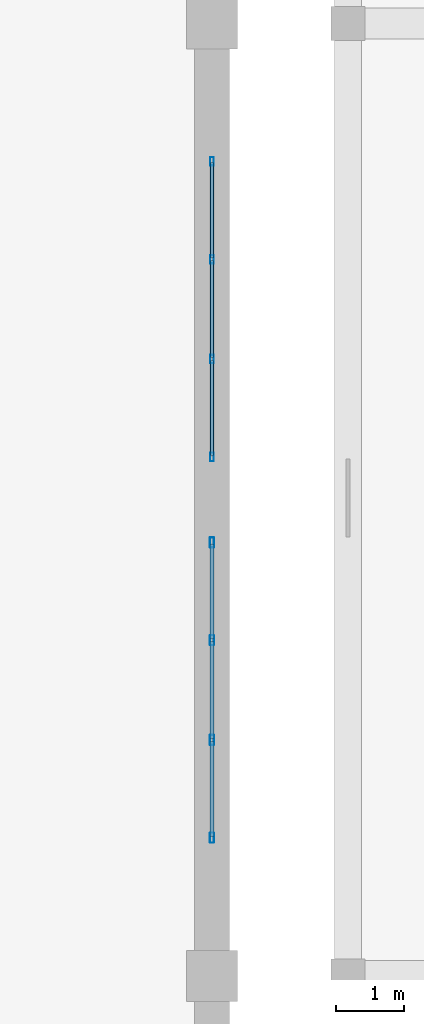
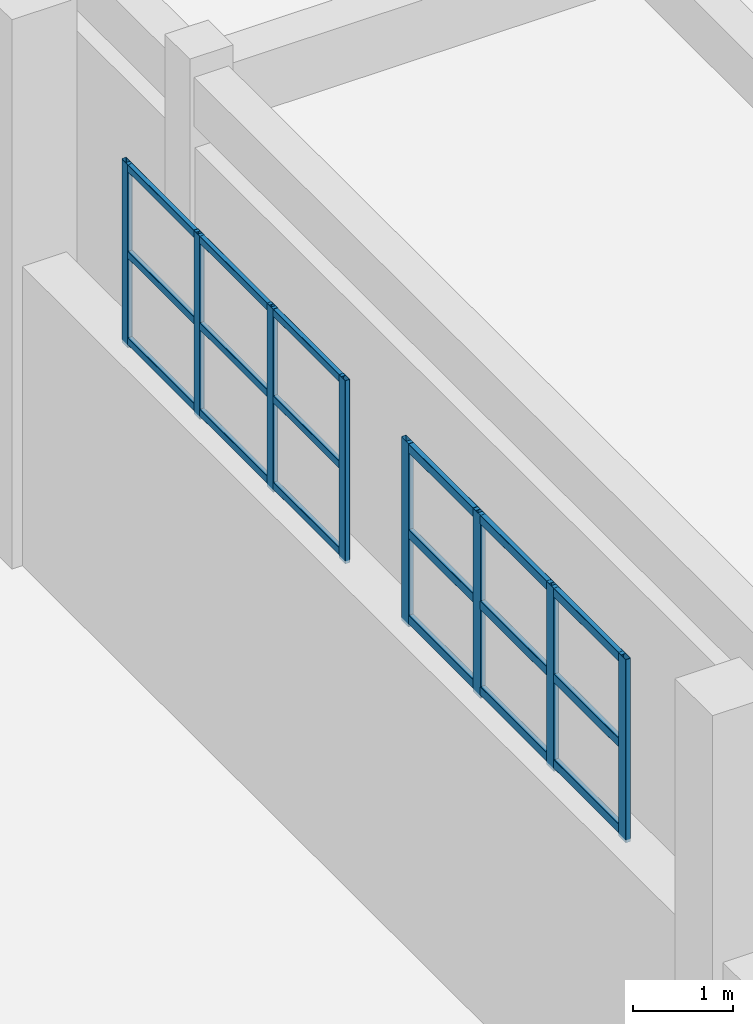
# One storey, part 127 of 197: 26 members, 2 elements without a shape of their own.
"""IFC4 building model written with IfcOpenShell, lengths in metres."""

from ifc_helpers import new_model, si_unit, derived_unit, direction, frame, origin, origin_2d, place, context, subcontext, project, spatial, hollow_rectangle, extrude, material, layer, layer_set, material_profile, profile_set, type_object, element, aggregate, save


model = new_model("IFC4")

# Units and contexts
model_context = context("Model", 3, precision=1e-05, world=origin(), true_north=direction((0.0, 1.0)))
body_context = subcontext(model_context, "Body", "Model", "MODEL_VIEW")
ifc_project = project(units=[si_unit("LENGTHUNIT", "METRE"), si_unit("AREAUNIT", "SQUARE_METRE"), si_unit("VOLUMEUNIT", "CUBIC_METRE"), si_unit("PLANEANGLEUNIT", "RADIAN"), si_unit("MASSUNIT", "GRAM", prefix="KILO"), derived_unit("THERMALTRANSMITTANCEUNIT", [(si_unit("POWERUNIT", "WATT"), 1), (si_unit("LENGTHUNIT", "METRE"), -2), (si_unit("THERMODYNAMICTEMPERATUREUNIT", "KELVIN"), -1)])], contexts=[model_context])

# Site, building, storey
site_placement = place(None, origin())
site = spatial("IfcSite", under=ifc_project, at=site_placement, CompositionType="ELEMENT")
building_placement = place(site_placement, origin())
building = spatial("IfcBuilding", under=site, at=building_placement, Name="Almenara Railside Exhibition Hall", CompositionType="ELEMENT")
storey_placement = place(building_placement, frame((0.0, 0.0, 5.39990234375)))
storey = spatial("IfcBuildingStorey", under=building, at=storey_placement, Name="L01", CompositionType="ELEMENT", Elevation=5.39990234375)

# Curtain wall, members
ifc_material_1 = material(Name="Bronze-anodised aluminium and low-E double glazing", Category="aluminium")
ifc_layer = layer(ifc_material_1, 0.179931640625, Name="Bronze-anodised aluminium and low-E double glazing")
ifc_layer_set = layer_set([ifc_layer], Name="Bronze-anodised aluminium and low-E double glazing")
curtain_wall_type = type_object("IfcCurtainWallType", Name="East Hall Clerestory Curtain Wall 4400x2300", PredefinedType="NOTDEFINED", material=ifc_layer_set)
curtain_wall_1_placement = place(storey_placement, origin())
curtain_wall_1 = element("IfcCurtainWall", 1, at=curtain_wall_1_placement, inside=storey, type_object=curtain_wall_type, Name="Curtain wall CW-CL3-062", PredefinedType="NOTDEFINED")
ifc_material_2 = material(Name="Bronze-anodised aluminium", Category="aluminium")
ifc_material_profile_1 = material_profile(ifc_material_2, hollow_rectangle(XDim=0.054931640625, YDim=0.125, WallThickness=0.0029296875, InnerFilletRadius=0.0029296875, OuterFilletRadius=0.006103515625, at=origin_2d()), Name="ALU-MUL 55x125x3")
ifc_profile_set_1 = profile_set([ifc_material_profile_1], Name="Bronze-anodised aluminium")
member_type_1 = type_object("IfcMemberType", Name="Curtain Wall Mullion 55x125x3", PredefinedType="MULLION", material=ifc_profile_set_1)
member_1_placement = place(storey_placement, frame((192.0, 69.62744140625, 3.614990234375), z_axis=(0.0, 0.0, 1.0), x_axis=(-1.0, 0.0, 0.0)))
member_1 = element("IfcMember", 2, at=member_1_placement, type_object=member_type_1, Name="CW-CL3-062 mullion 1", PredefinedType="MULLION", context=body_context, shape_type="SweptSolid", body=[
    extrude(hollow_rectangle(XDim=0.054931640625, YDim=0.125, WallThickness=0.0029296875, InnerFilletRadius=0.0029296875, OuterFilletRadius=0.006103515625, at=origin_2d()), origin(), (0.0, 0.0, 1.0), 2.235107421875),
])
member_2_placement = place(storey_placement, frame((192.0, 71.066650390625, 3.614990234375), z_axis=(0.0, 0.0, 1.0), x_axis=(-1.0, 0.0, 0.0)))
member_2 = element("IfcMember", 3, at=member_2_placement, type_object=member_type_1, Name="CW-CL3-062 mullion 2", PredefinedType="MULLION", context=body_context, shape_type="SweptSolid", body=[
    extrude(hollow_rectangle(XDim=0.054931640625, YDim=0.125, WallThickness=0.0029296875, InnerFilletRadius=0.0029296875, OuterFilletRadius=0.006103515625, at=origin_2d()), origin(), (0.0, 0.0, 1.0), 2.235107421875),
])
member_3_placement = place(storey_placement, frame((192.0, 72.533447265625, 3.614990234375), z_axis=(0.0, 0.0, 1.0), x_axis=(-1.0, 0.0, 0.0)))
member_3 = element("IfcMember", 4, at=member_3_placement, type_object=member_type_1, Name="CW-CL3-062 mullion 3", PredefinedType="MULLION", context=body_context, shape_type="SweptSolid", body=[
    extrude(hollow_rectangle(XDim=0.054931640625, YDim=0.125, WallThickness=0.0029296875, InnerFilletRadius=0.0029296875, OuterFilletRadius=0.006103515625, at=origin_2d()), origin(), (0.0, 0.0, 1.0), 2.235107421875),
])
member_4_placement = place(storey_placement, frame((192.0, 73.972412109375, 3.614990234375), z_axis=(0.0, 0.0, 1.0), x_axis=(-1.0, 0.0, 0.0)))
member_4 = element("IfcMember", 5, at=member_4_placement, type_object=member_type_1, Name="CW-CL3-062 mullion 4", PredefinedType="MULLION", context=body_context, shape_type="SweptSolid", body=[
    extrude(hollow_rectangle(XDim=0.054931640625, YDim=0.125, WallThickness=0.0029296875, InnerFilletRadius=0.0029296875, OuterFilletRadius=0.006103515625, at=origin_2d()), origin(), (0.0, 0.0, 1.0), 2.235107421875),
])

curtain_wall_2_placement = place(storey_placement, origin())
curtain_wall_2 = element("IfcCurtainWall", 6, at=curtain_wall_2_placement, inside=storey, type_object=curtain_wall_type, Name="Curtain wall CW-CL3-061", PredefinedType="NOTDEFINED")
ifc_material_profile_2 = material_profile(ifc_material_2, hollow_rectangle(XDim=0.06005859375, YDim=0.14990234375, WallThickness=0.00341796875, InnerFilletRadius=0.00341796875, OuterFilletRadius=0.007080078125, at=origin_2d()), Name="ALU-MUL 60x150x3.5")
ifc_profile_set_2 = profile_set([ifc_material_profile_2], Name="Bronze-anodised aluminium")
member_type_2 = type_object("IfcMemberType", Name="Curtain Wall Mullion 60x150x3.5", PredefinedType="MULLION", material=ifc_profile_set_2)
member_5_placement = place(storey_placement, frame((192.0, 64.030029296875, 3.614990234375), z_axis=(0.0, 0.0, 1.0), x_axis=(-1.0, 0.0, 0.0)))
member_5 = element("IfcMember", 7, at=member_5_placement, type_object=member_type_2, Name="CW-CL3-061 mullion 1", PredefinedType="MULLION", context=body_context, shape_type="SweptSolid", body=[
    extrude(hollow_rectangle(XDim=0.06005859375, YDim=0.14990234375, WallThickness=0.00341796875, InnerFilletRadius=0.00341796875, OuterFilletRadius=0.007080078125, at=origin_2d()), origin(), (0.0, 0.0, 1.0), 2.235107421875),
])
member_6_placement = place(storey_placement, frame((192.0, 65.466552734375, 3.614990234375), z_axis=(0.0, 0.0, 1.0), x_axis=(-1.0, 0.0, 0.0)))
member_6 = element("IfcMember", 8, at=member_6_placement, type_object=member_type_2, Name="CW-CL3-061 mullion 2", PredefinedType="MULLION", context=body_context, shape_type="SweptSolid", body=[
    extrude(hollow_rectangle(XDim=0.06005859375, YDim=0.14990234375, WallThickness=0.00341796875, InnerFilletRadius=0.00341796875, OuterFilletRadius=0.007080078125, at=origin_2d()), origin(), (0.0, 0.0, 1.0), 2.235107421875),
])
member_7_placement = place(storey_placement, frame((192.0, 66.933349609375, 3.614990234375), z_axis=(0.0, 0.0, 1.0), x_axis=(-1.0, 0.0, 0.0)))
member_7 = element("IfcMember", 9, at=member_7_placement, type_object=member_type_2, Name="CW-CL3-061 mullion 3", PredefinedType="MULLION", context=body_context, shape_type="SweptSolid", body=[
    extrude(hollow_rectangle(XDim=0.06005859375, YDim=0.14990234375, WallThickness=0.00341796875, InnerFilletRadius=0.00341796875, OuterFilletRadius=0.007080078125, at=origin_2d()), origin(), (0.0, 0.0, 1.0), 2.235107421875),
])
member_8_placement = place(storey_placement, frame((192.0, 68.3701171875, 3.614990234375), z_axis=(0.0, 0.0, 1.0), x_axis=(-1.0, 0.0, 0.0)))
member_8 = element("IfcMember", 10, at=member_8_placement, type_object=member_type_2, Name="CW-CL3-061 mullion 4", PredefinedType="MULLION", context=body_context, shape_type="SweptSolid", body=[
    extrude(hollow_rectangle(XDim=0.06005859375, YDim=0.14990234375, WallThickness=0.00341796875, InnerFilletRadius=0.00341796875, OuterFilletRadius=0.007080078125, at=origin_2d()), origin(), (0.0, 0.0, 1.0), 2.235107421875),
])

# Member
ifc_material_profile_3 = material_profile(ifc_material_2, hollow_rectangle(XDim=0.054931640625, YDim=0.090087890625, WallThickness=0.0029296875, InnerFilletRadius=0.0029296875, OuterFilletRadius=0.006103515625, at=origin_2d()), Name="ALU-TRN 55x90x3")
ifc_profile_set_3 = profile_set([ifc_material_profile_3], Name="Bronze-anodised aluminium")
member_type_3 = type_object("IfcMemberType", Name="Curtain Wall Transom 55x90x3", PredefinedType="USERDEFINED", material=ifc_profile_set_3)
member_9_placement = place(storey_placement, frame((192.0, 69.64697265625, 3.695068359375), z_axis=(0.0, 1.0, 0.0), x_axis=(-1.0, 0.0, 0.0)))
member_9 = element("IfcMember", 11, at=member_9_placement, type_object=member_type_3, Name="CW-CL3-062 transom 1.1", ObjectType="TRANSOM", PredefinedType="USERDEFINED", context=body_context, shape_type="SweptSolid", body=[
    extrude(hollow_rectangle(XDim=0.054931640625, YDim=0.090087890625, WallThickness=0.0029296875, InnerFilletRadius=0.0029296875, OuterFilletRadius=0.006103515625, at=origin_2d()), origin(), (0.0, 0.0, 1.0), 1.400146484375),
])

member_10_placement = place(storey_placement, frame((192.0, 69.64697265625, 4.75), z_axis=(0.0, 1.0, 0.0), x_axis=(-1.0, 0.0, 0.0)))
member_10 = element("IfcMember", 12, at=member_10_placement, type_object=member_type_3, Name="CW-CL3-062 transom 1.2", ObjectType="TRANSOM", PredefinedType="USERDEFINED", context=body_context, shape_type="SweptSolid", body=[
    extrude(hollow_rectangle(XDim=0.054931640625, YDim=0.090087890625, WallThickness=0.0029296875, InnerFilletRadius=0.0029296875, OuterFilletRadius=0.006103515625, at=origin_2d()), origin(), (0.0, 0.0, 1.0), 1.400146484375),
])

member_11_placement = place(storey_placement, frame((192.0, 69.64697265625, 5.80517578125), z_axis=(0.0, 1.0, 0.0), x_axis=(-1.0, 0.0, 0.0)))
member_11 = element("IfcMember", 13, at=member_11_placement, type_object=member_type_3, Name="CW-CL3-062 transom 1.3", ObjectType="TRANSOM", PredefinedType="USERDEFINED", context=body_context, shape_type="SweptSolid", body=[
    extrude(hollow_rectangle(XDim=0.054931640625, YDim=0.090087890625, WallThickness=0.0029296875, InnerFilletRadius=0.0029296875, OuterFilletRadius=0.006103515625, at=origin_2d()), origin(), (0.0, 0.0, 1.0), 1.400146484375),
])

member_12_placement = place(storey_placement, frame((192.0, 71.086181640625, 3.695068359375), z_axis=(0.0, 1.0, 0.0), x_axis=(-1.0, 0.0, 0.0)))
member_12 = element("IfcMember", 14, at=member_12_placement, type_object=member_type_3, Name="CW-CL3-062 transom 2.1", ObjectType="TRANSOM", PredefinedType="USERDEFINED", context=body_context, shape_type="SweptSolid", body=[
    extrude(hollow_rectangle(XDim=0.054931640625, YDim=0.090087890625, WallThickness=0.0029296875, InnerFilletRadius=0.0029296875, OuterFilletRadius=0.006103515625, at=origin_2d()), origin(), (0.0, 0.0, 1.0), 1.427734375),
])

member_13_placement = place(storey_placement, frame((192.0, 71.086181640625, 4.75), z_axis=(0.0, 1.0, 0.0), x_axis=(-1.0, 0.0, 0.0)))
member_13 = element("IfcMember", 15, at=member_13_placement, type_object=member_type_3, Name="CW-CL3-062 transom 2.2", ObjectType="TRANSOM", PredefinedType="USERDEFINED", context=body_context, shape_type="SweptSolid", body=[
    extrude(hollow_rectangle(XDim=0.054931640625, YDim=0.090087890625, WallThickness=0.0029296875, InnerFilletRadius=0.0029296875, OuterFilletRadius=0.006103515625, at=origin_2d()), origin(), (0.0, 0.0, 1.0), 1.427734375),
])

member_14_placement = place(storey_placement, frame((192.0, 71.086181640625, 5.80517578125), z_axis=(0.0, 1.0, 0.0), x_axis=(-1.0, 0.0, 0.0)))
member_14 = element("IfcMember", 16, at=member_14_placement, type_object=member_type_3, Name="CW-CL3-062 transom 2.3", ObjectType="TRANSOM", PredefinedType="USERDEFINED", context=body_context, shape_type="SweptSolid", body=[
    extrude(hollow_rectangle(XDim=0.054931640625, YDim=0.090087890625, WallThickness=0.0029296875, InnerFilletRadius=0.0029296875, OuterFilletRadius=0.006103515625, at=origin_2d()), origin(), (0.0, 0.0, 1.0), 1.427734375),
])

member_15_placement = place(storey_placement, frame((192.0, 72.552734375, 3.695068359375), z_axis=(0.0, 1.0, 0.0), x_axis=(-1.0, 0.0, 0.0)))
member_15 = element("IfcMember", 17, at=member_15_placement, type_object=member_type_3, Name="CW-CL3-062 transom 3.1", ObjectType="TRANSOM", PredefinedType="USERDEFINED", context=body_context, shape_type="SweptSolid", body=[
    extrude(hollow_rectangle(XDim=0.054931640625, YDim=0.090087890625, WallThickness=0.0029296875, InnerFilletRadius=0.0029296875, OuterFilletRadius=0.006103515625, at=origin_2d()), origin(), (0.0, 0.0, 1.0), 1.400146484375),
])

member_16_placement = place(storey_placement, frame((192.0, 72.552734375, 4.75), z_axis=(0.0, 1.0, 0.0), x_axis=(-1.0, 0.0, 0.0)))
member_16 = element("IfcMember", 18, at=member_16_placement, type_object=member_type_3, Name="CW-CL3-062 transom 3.2", ObjectType="TRANSOM", PredefinedType="USERDEFINED", context=body_context, shape_type="SweptSolid", body=[
    extrude(hollow_rectangle(XDim=0.054931640625, YDim=0.090087890625, WallThickness=0.0029296875, InnerFilletRadius=0.0029296875, OuterFilletRadius=0.006103515625, at=origin_2d()), origin(), (0.0, 0.0, 1.0), 1.400146484375),
])

member_17_placement = place(storey_placement, frame((192.0, 72.552734375, 5.80517578125), z_axis=(0.0, 1.0, 0.0), x_axis=(-1.0, 0.0, 0.0)))
member_17 = element("IfcMember", 19, at=member_17_placement, type_object=member_type_3, Name="CW-CL3-062 transom 3.3", ObjectType="TRANSOM", PredefinedType="USERDEFINED", context=body_context, shape_type="SweptSolid", body=[
    extrude(hollow_rectangle(XDim=0.054931640625, YDim=0.090087890625, WallThickness=0.0029296875, InnerFilletRadius=0.0029296875, OuterFilletRadius=0.006103515625, at=origin_2d()), origin(), (0.0, 0.0, 1.0), 1.400146484375),
])

aggregate(curtain_wall_1, [member_1, member_2, member_3, member_4, member_9, member_10, member_11, member_12, member_13, member_14, member_15, member_16, member_17])

ifc_material_profile_4 = material_profile(ifc_material_2, hollow_rectangle(XDim=0.06005859375, YDim=0.110107421875, WallThickness=0.0029296875, InnerFilletRadius=0.0029296875, OuterFilletRadius=0.006103515625, at=origin_2d()), Name="ALU-TRN 60x110x3")
ifc_profile_set_4 = profile_set([ifc_material_profile_4], Name="Bronze-anodised aluminium")
member_type_4 = type_object("IfcMemberType", Name="Curtain Wall Transom 60x110x3", PredefinedType="USERDEFINED", material=ifc_profile_set_4)
member_18_placement = place(storey_placement, frame((192.0, 64.052001953125, 3.705078125), z_axis=(0.0, 1.0, 0.0), x_axis=(-1.0, 0.0, 0.0)))
member_18 = element("IfcMember", 20, at=member_18_placement, type_object=member_type_4, Name="CW-CL3-061 transom 1.1", ObjectType="TRANSOM", PredefinedType="USERDEFINED", context=body_context, shape_type="SweptSolid", body=[
    extrude(hollow_rectangle(XDim=0.06005859375, YDim=0.110107421875, WallThickness=0.0029296875, InnerFilletRadius=0.0029296875, OuterFilletRadius=0.006103515625, at=origin_2d()), origin(), (0.0, 0.0, 1.0), 1.392578125),
])

member_19_placement = place(storey_placement, frame((192.0, 64.052001953125, 4.75), z_axis=(0.0, 1.0, 0.0), x_axis=(-1.0, 0.0, 0.0)))
member_19 = element("IfcMember", 21, at=member_19_placement, type_object=member_type_4, Name="CW-CL3-061 transom 1.2", ObjectType="TRANSOM", PredefinedType="USERDEFINED", context=body_context, shape_type="SweptSolid", body=[
    extrude(hollow_rectangle(XDim=0.06005859375, YDim=0.110107421875, WallThickness=0.0029296875, InnerFilletRadius=0.0029296875, OuterFilletRadius=0.006103515625, at=origin_2d()), origin(), (0.0, 0.0, 1.0), 1.392578125),
])

member_20_placement = place(storey_placement, frame((192.0, 64.052001953125, 5.795166015625), z_axis=(0.0, 1.0, 0.0), x_axis=(-1.0, 0.0, 0.0)))
member_20 = element("IfcMember", 22, at=member_20_placement, type_object=member_type_4, Name="CW-CL3-061 transom 1.3", ObjectType="TRANSOM", PredefinedType="USERDEFINED", context=body_context, shape_type="SweptSolid", body=[
    extrude(hollow_rectangle(XDim=0.06005859375, YDim=0.110107421875, WallThickness=0.0029296875, InnerFilletRadius=0.0029296875, OuterFilletRadius=0.006103515625, at=origin_2d()), origin(), (0.0, 0.0, 1.0), 1.392578125),
])

member_21_placement = place(storey_placement, frame((192.0, 65.48876953125, 3.705078125), z_axis=(0.0, 1.0, 0.0), x_axis=(-1.0, 0.0, 0.0)))
member_21 = element("IfcMember", 23, at=member_21_placement, type_object=member_type_4, Name="CW-CL3-061 transom 2.1", ObjectType="TRANSOM", PredefinedType="USERDEFINED", context=body_context, shape_type="SweptSolid", body=[
    extrude(hollow_rectangle(XDim=0.06005859375, YDim=0.110107421875, WallThickness=0.0029296875, InnerFilletRadius=0.0029296875, OuterFilletRadius=0.006103515625, at=origin_2d()), origin(), (0.0, 0.0, 1.0), 1.422607421875),
])

member_22_placement = place(storey_placement, frame((192.0, 65.48876953125, 4.75), z_axis=(0.0, 1.0, 0.0), x_axis=(-1.0, 0.0, 0.0)))
member_22 = element("IfcMember", 24, at=member_22_placement, type_object=member_type_4, Name="CW-CL3-061 transom 2.2", ObjectType="TRANSOM", PredefinedType="USERDEFINED", context=body_context, shape_type="SweptSolid", body=[
    extrude(hollow_rectangle(XDim=0.06005859375, YDim=0.110107421875, WallThickness=0.0029296875, InnerFilletRadius=0.0029296875, OuterFilletRadius=0.006103515625, at=origin_2d()), origin(), (0.0, 0.0, 1.0), 1.422607421875),
])

member_23_placement = place(storey_placement, frame((192.0, 65.48876953125, 5.795166015625), z_axis=(0.0, 1.0, 0.0), x_axis=(-1.0, 0.0, 0.0)))
member_23 = element("IfcMember", 25, at=member_23_placement, type_object=member_type_4, Name="CW-CL3-061 transom 2.3", ObjectType="TRANSOM", PredefinedType="USERDEFINED", context=body_context, shape_type="SweptSolid", body=[
    extrude(hollow_rectangle(XDim=0.06005859375, YDim=0.110107421875, WallThickness=0.0029296875, InnerFilletRadius=0.0029296875, OuterFilletRadius=0.006103515625, at=origin_2d()), origin(), (0.0, 0.0, 1.0), 1.422607421875),
])

member_24_placement = place(storey_placement, frame((192.0, 66.955322265625, 3.705078125), z_axis=(0.0, 1.0, 0.0), x_axis=(-1.0, 0.0, 0.0)))
member_24 = element("IfcMember", 26, at=member_24_placement, type_object=member_type_4, Name="CW-CL3-061 transom 3.1", ObjectType="TRANSOM", PredefinedType="USERDEFINED", context=body_context, shape_type="SweptSolid", body=[
    extrude(hollow_rectangle(XDim=0.06005859375, YDim=0.110107421875, WallThickness=0.0029296875, InnerFilletRadius=0.0029296875, OuterFilletRadius=0.006103515625, at=origin_2d()), origin(), (0.0, 0.0, 1.0), 1.392578125),
])

member_25_placement = place(storey_placement, frame((192.0, 66.955322265625, 4.75), z_axis=(0.0, 1.0, 0.0), x_axis=(-1.0, 0.0, 0.0)))
member_25 = element("IfcMember", 27, at=member_25_placement, type_object=member_type_4, Name="CW-CL3-061 transom 3.2", ObjectType="TRANSOM", PredefinedType="USERDEFINED", context=body_context, shape_type="SweptSolid", body=[
    extrude(hollow_rectangle(XDim=0.06005859375, YDim=0.110107421875, WallThickness=0.0029296875, InnerFilletRadius=0.0029296875, OuterFilletRadius=0.006103515625, at=origin_2d()), origin(), (0.0, 0.0, 1.0), 1.392578125),
])

member_26_placement = place(storey_placement, frame((192.0, 66.955322265625, 5.795166015625), z_axis=(0.0, 1.0, 0.0), x_axis=(-1.0, 0.0, 0.0)))
member_26 = element("IfcMember", 28, at=member_26_placement, type_object=member_type_4, Name="CW-CL3-061 transom 3.3", ObjectType="TRANSOM", PredefinedType="USERDEFINED", context=body_context, shape_type="SweptSolid", body=[
    extrude(hollow_rectangle(XDim=0.06005859375, YDim=0.110107421875, WallThickness=0.0029296875, InnerFilletRadius=0.0029296875, OuterFilletRadius=0.006103515625, at=origin_2d()), origin(), (0.0, 0.0, 1.0), 1.392578125),
])

aggregate(curtain_wall_2, [member_5, member_6, member_7, member_8, member_18, member_19, member_20, member_21, member_22, member_23, member_24, member_25, member_26])

save(model, "model.ifc")
